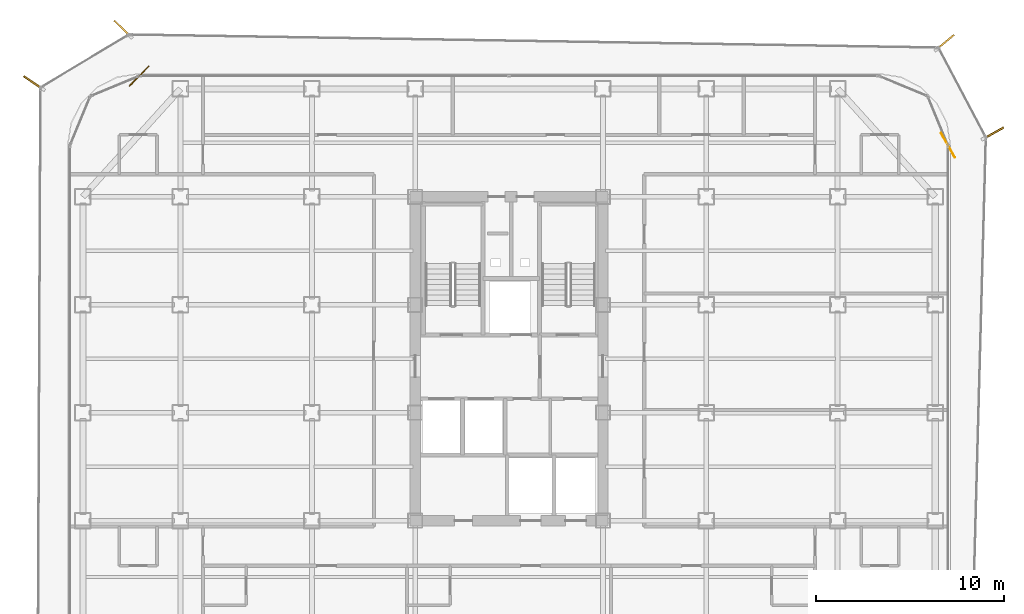
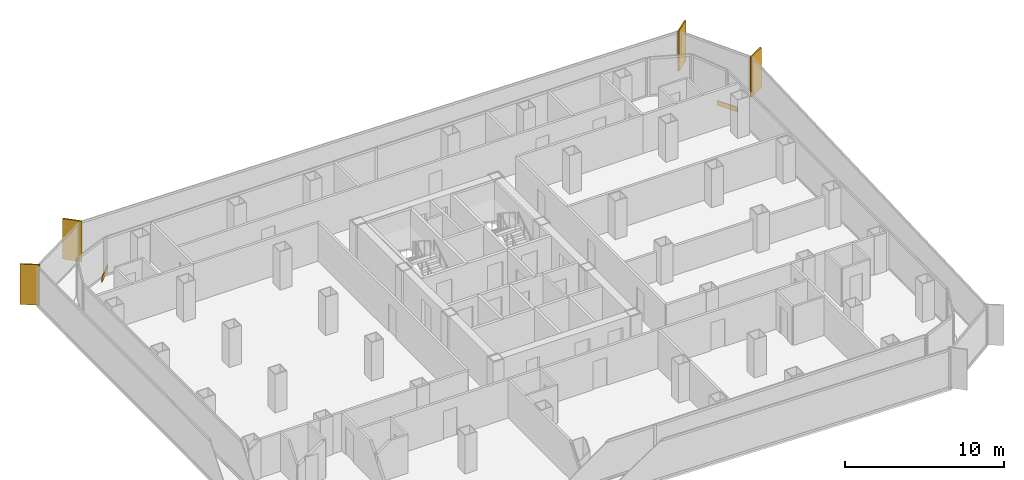
# One storey, part 21 of 21: 4 shading devices, 2 coverings.
"""IFC4 building model written with IfcOpenShell, lengths in metres."""

from ifc_helpers import new_model, si_unit, direction, frame, origin, origin_2d, place, context, subcontext, project, spatial, rectangle, extrude, source, transform, mapped, material, layer, layer_set, type_object, element, save


model = new_model("IFC4")

# Units and contexts
model_context = context("Model", 3, precision=1e-05, world=origin(), true_north=direction((0.0, 1.0)))
body_context = subcontext(model_context, "Body", "Model", "MODEL_VIEW")
ifc_project = project(units=[si_unit("LENGTHUNIT", "METRE"), si_unit("AREAUNIT", "SQUARE_METRE"), si_unit("VOLUMEUNIT", "CUBIC_METRE"), si_unit("PLANEANGLEUNIT", "RADIAN"), si_unit("MASSUNIT", "GRAM", prefix="KILO")], contexts=[model_context])

# Site, building, storey
site_placement = place(None, origin())
site = spatial("IfcSite", under=ifc_project, at=site_placement, CompositionType="ELEMENT")
building_placement = place(site_placement, origin())
building = spatial("IfcBuilding", under=site, at=building_placement, Name="Kolveth Station Tower", CompositionType="ELEMENT")
storey_placement = place(building_placement, frame((0.0, 0.0, 118.300048828125)))
storey = spatial("IfcBuildingStorey", under=building, at=storey_placement, Name="L32", CompositionType="ELEMENT", Elevation=118.300048828125)

# Shading devices
ifc_material_1 = material(Name="Black anodized aluminium 6063-T6", Category="aluminium")
shading_device_type = type_object("IfcShadingDeviceType", Name="FIN_VF1", PredefinedType="USERDEFINED", material=ifc_material_1)
shared_shape_1 = source(origin(), body_context, "Body", "SweptSolid", [
    extrude(rectangle(XDim=1.25, YDim=0.090087890625, at=origin_2d()), origin(), (0.0, 0.0, 1.0), 3.10009765625),
])
for number, where, z_axis, x_axis, name in (
    (1, (49.294921875, 32.139892578125, 0.0), (0.0, 0.0, 1.0), (0.871898392604, 0.48968683153, 0.0), "L32 Dark-Aluminium Solar Fin 3"),
    (2, (46.722900390625, 36.97900390625, 0.0), (0.0, 0.0, 1.0), (0.768618578918, 0.639707339446, 0.0), "L32 Dark-Aluminium Solar Fin 4"),
    (3, (2.922119140625, 37.698974609375, 0.0), (0.0, 0.0, 1.0), (-0.716301943425, 0.697790459842, 0.0), "L32 Dark-Aluminium Solar Fin 5"),
    (4, (-1.821044921875, 34.821044921875, 0.0), (0.0, 0.0, 1.0), (-0.827668733006, 0.561216953062, 0.0), "L32 Dark-Aluminium Solar Fin 6"),
):
    element("IfcShadingDevice", number, at=place(storey_placement, frame(where, z_axis=z_axis, x_axis=x_axis)), inside=storey, type_object=shading_device_type, Name=name, ObjectType="FIN", PredefinedType="USERDEFINED", context=body_context, shape_type="MappedRepresentation", body=[
        mapped(shared_shape_1, transform((0.0, 0.0, 0.0), x_axis=(1.0, 0.0, 0.0), y_axis=(0.0, 1.0, 0.0), z_axis=(0.0, 0.0, 1.0), scale=1.0)),
    ])

# Coverings
ifc_material_2 = material(Name="Charcoal anodized aluminium spandrel cladding", Category="aluminium")
ifc_layer = layer(ifc_material_2, 0.044921875)
ifc_layer_set = layer_set([ifc_layer], Name="Charcoal anodized aluminium spandrel cladding")
covering_type = type_object("IfcCoveringType", Name="Clad_CD1", PredefinedType="CLADDING", material=ifc_layer_set)
shared_shape_2 = source(origin(), body_context, "Body", "SweptSolid", [
    extrude(rectangle(XDim=1.5, YDim=0.044921875, at=origin_2d()), origin(), (0.0, 0.0, 1.0), 0.360107421875),
])
for number, where, z_axis, x_axis, name in (
    (5, (46.8798828125, 31.5, 0.0), (0.0, 0.0, 1.0), (-0.48968683153, 0.871898392604, 0.0), "L32 Spandrel Edge Cladding 3"),
    (6, (3.800048828125, 35.179931640625, 0.0), (0.0, 0.0, 1.0), (-0.697790459842, -0.716301943425, 0.0), "L32 Spandrel Edge Cladding 5"),
):
    element("IfcCovering", number, at=place(storey_placement, frame(where, z_axis=z_axis, x_axis=x_axis)), inside=storey, type_object=covering_type, Name=name, PredefinedType="CLADDING", context=body_context, shape_type="MappedRepresentation", body=[
        mapped(shared_shape_2, transform((0.0, 0.0, 0.0), x_axis=(1.0, 0.0, 0.0), y_axis=(0.0, 1.0, 0.0), z_axis=(0.0, 0.0, 1.0), scale=1.0)),
    ])

save(model, "model.ifc")
